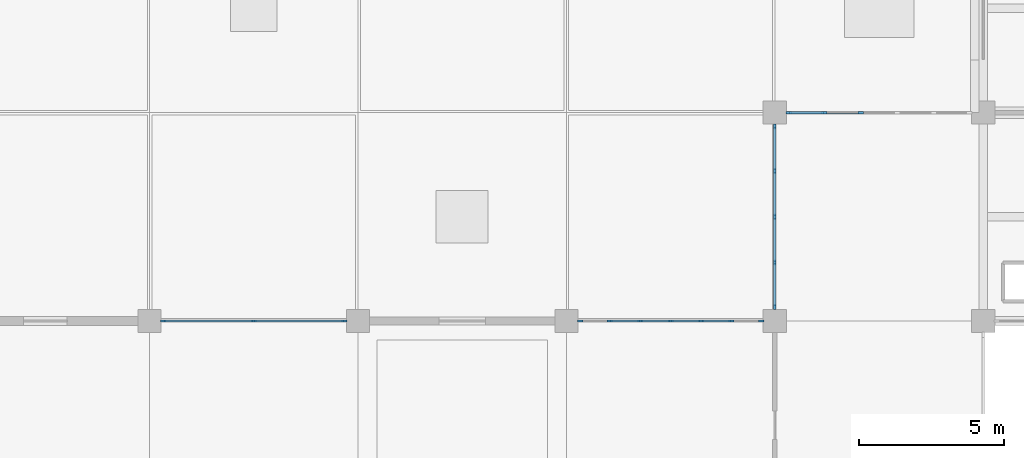
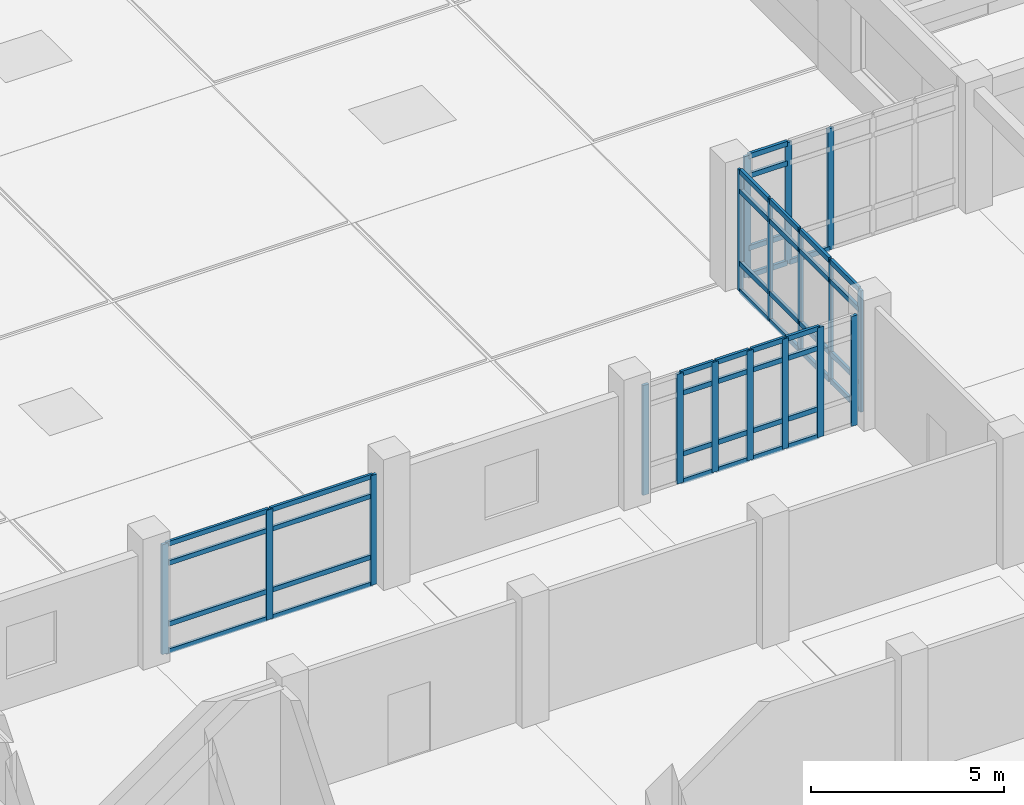
# One storey, part 11 of 62: 63 members, 4 elements without a shape of their own.
"""IFC4 building model written with IfcOpenShell, lengths in metres."""

from ifc_helpers import new_model, si_unit, direction, frame, origin, origin_2d, place, context, subcontext, project, spatial, rectangle, extrude, material, layer, layer_set, material_profile, profile_set, type_object, element, aggregate, save


model = new_model("IFC4")

# Units and contexts
model_context = context("Model", 3, precision=1e-05, world=origin(), true_north=direction((0.0, 1.0)))
body_context = subcontext(model_context, "Body", "Model", "MODEL_VIEW")
ifc_project = project(units=[si_unit("LENGTHUNIT", "METRE"), si_unit("AREAUNIT", "SQUARE_METRE"), si_unit("VOLUMEUNIT", "CUBIC_METRE"), si_unit("PLANEANGLEUNIT", "RADIAN"), si_unit("MASSUNIT", "GRAM", prefix="KILO")], contexts=[model_context])

# Site, building, storey
site_placement = place(None, origin())
site = spatial("IfcSite", under=ifc_project, at=site_placement, CompositionType="ELEMENT")
building_placement = place(site_placement, origin())
building = spatial("IfcBuilding", under=site, at=building_placement, Name="Kavelor Marine Aquarium", CompositionType="ELEMENT")
storey_placement = place(building_placement, frame((0.0, 0.0, 13.5)))
storey = spatial("IfcBuildingStorey", under=building, at=storey_placement, Name="L03", CompositionType="ELEMENT", Elevation=13.5)

# Curtain wall, members
ifc_material_1 = material(Name="Thermally Broken Aluminium and Low-E Glass", Category="aluminium")
ifc_layer_1 = layer(ifc_material_1, 0.26806640625)
ifc_layer_set_1 = layer_set([ifc_layer_1], Name="CW-SYS16")
curtain_wall_type_1 = type_object("IfcCurtainWallType", Name="CW-SYS16", PredefinedType="USERDEFINED", material=ifc_layer_set_1)
curtain_wall_1_placement = place(storey_placement, origin())
curtain_wall_1 = element("IfcCurtainWall", 1, at=curtain_wall_1_placement, inside=storey, type_object=curtain_wall_type_1, Name="cw:y:L03:04_11", ObjectType="Curtain Wall", PredefinedType="USERDEFINED")
ifc_material_2 = material(Name="Anodised Aluminium Alloy 6063-T6", Category="aluminium")
ifc_material_profile_1 = material_profile(ifc_material_2, rectangle(XDim=0.074951171875, YDim=0.179931640625, at=origin_2d()), Name="CW-MUL 75x180")
ifc_profile_set_1 = profile_set([ifc_material_profile_1], Name="Anodised Aluminium Alloy 6063-T6")
member_type_1 = type_object("IfcMemberType", Name="CWM-1", PredefinedType="MULLION", material=ifc_profile_set_1)
member_1_placement = place(storey_placement, frame((32.0, 88.717529296875, 0.0), z_axis=(0.0, 0.0, 1.0), x_axis=(1.0, 0.0, 0.0)))
member_1 = element("IfcMember", 2, at=member_1_placement, type_object=member_type_1, Name="CW16 mullion 1", PredefinedType="MULLION", context=body_context, shape_type="SweptSolid", body=[
    extrude(rectangle(XDim=0.074951171875, YDim=0.179931640625, at=origin_2d()), origin(), (0.0, 0.0, 1.0), 3.840087890625),
])
member_2_placement = place(storey_placement, frame((32.0, 87.177490234375, 0.0), z_axis=(0.0, 0.0, 1.0), x_axis=(1.0, 0.0, 0.0)))
member_2 = element("IfcMember", 3, at=member_2_placement, type_object=member_type_1, Name="CW16 mullion 2", PredefinedType="MULLION", context=body_context, shape_type="SweptSolid", body=[
    extrude(rectangle(XDim=0.074951171875, YDim=0.179931640625, at=origin_2d()), origin(), (0.0, 0.0, 1.0), 3.840087890625),
])
member_3_placement = place(storey_placement, frame((32.0, 85.60009765625, 0.0), z_axis=(0.0, 0.0, 1.0), x_axis=(1.0, 0.0, 0.0)))
member_3 = element("IfcMember", 4, at=member_3_placement, type_object=member_type_1, Name="CW16 mullion 3", PredefinedType="MULLION", context=body_context, shape_type="SweptSolid", body=[
    extrude(rectangle(XDim=0.074951171875, YDim=0.179931640625, at=origin_2d()), origin(), (0.0, 0.0, 1.0), 3.840087890625),
])
member_4_placement = place(storey_placement, frame((32.0, 84.0224609375, 0.0), z_axis=(0.0, 0.0, 1.0), x_axis=(1.0, 0.0, 0.0)))
member_4 = element("IfcMember", 5, at=member_4_placement, type_object=member_type_1, Name="CW16 mullion 4", PredefinedType="MULLION", context=body_context, shape_type="SweptSolid", body=[
    extrude(rectangle(XDim=0.074951171875, YDim=0.179931640625, at=origin_2d()), origin(), (0.0, 0.0, 1.0), 3.840087890625),
])
member_5_placement = place(storey_placement, frame((32.0, 82.482421875, 0.0), z_axis=(0.0, 0.0, 1.0), x_axis=(1.0, 0.0, 0.0)))
member_5 = element("IfcMember", 6, at=member_5_placement, type_object=member_type_1, Name="CW16 mullion 5", PredefinedType="MULLION", context=body_context, shape_type="SweptSolid", body=[
    extrude(rectangle(XDim=0.074951171875, YDim=0.179931640625, at=origin_2d()), origin(), (0.0, 0.0, 1.0), 3.840087890625),
])

ifc_material_3 = material(Name="Thermally Broken Aluminium and Low-E Glass", Category="aluminium")
ifc_layer_2 = layer(ifc_material_3, 0.179931640625)
ifc_layer_set_2 = layer_set([ifc_layer_2], Name="CW-SYS5")
curtain_wall_type_2 = type_object("IfcCurtainWallType", Name="CW-SYS5", PredefinedType="USERDEFINED", material=ifc_layer_set_2)
curtain_wall_2_placement = place(storey_placement, origin())
curtain_wall_2 = element("IfcCurtainWall", 7, at=curtain_wall_2_placement, inside=storey, type_object=curtain_wall_type_2, Name="cw:x:L03:04_12", ObjectType="Curtain Wall", PredefinedType="USERDEFINED")
ifc_material_4 = material(Name="Anodised Aluminium Alloy 6063-T6", Category="aluminium")
ifc_material_profile_2 = material_profile(ifc_material_4, rectangle(XDim=0.080078125, YDim=0.18505859375, at=origin_2d()), Name="CW-MUL 80x185")
ifc_profile_set_2 = profile_set([ifc_material_profile_2], Name="Anodised Aluminium Alloy 6063-T6")
member_type_2 = type_object("IfcMemberType", Name="CWM-2", PredefinedType="MULLION", material=ifc_profile_set_2)
member_6_placement = place(storey_placement, frame((32.4775390625, 89.199951171875, 0.0), z_axis=(0.0, 0.0, 1.0), x_axis=(0.0, 1.0, 0.0)))
member_6 = element("IfcMember", 8, at=member_6_placement, type_object=member_type_2, Name="CW05 mullion 1", PredefinedType="MULLION", context=body_context, shape_type="SweptSolid", body=[
    extrude(rectangle(XDim=0.080078125, YDim=0.18505859375, at=origin_2d()), origin(), (0.0, 0.0, 1.0), 3.840087890625),
])
member_7_placement = place(storey_placement, frame((33.70703125, 89.199951171875, 0.0), z_axis=(0.0, 0.0, 1.0), x_axis=(0.0, 1.0, 0.0)))
member_7 = element("IfcMember", 9, at=member_7_placement, type_object=member_type_2, Name="CW05 mullion 2", PredefinedType="MULLION", context=body_context, shape_type="SweptSolid", body=[
    extrude(rectangle(XDim=0.080078125, YDim=0.18505859375, at=origin_2d()), origin(), (0.0, 0.0, 1.0), 3.840087890625),
])
member_8_placement = place(storey_placement, frame((34.968994140625, 89.199951171875, 0.0), z_axis=(0.0, 0.0, 1.0), x_axis=(0.0, 1.0, 0.0)))
member_8 = element("IfcMember", 10, at=member_8_placement, type_object=member_type_2, Name="CW05 mullion 3", PredefinedType="MULLION", context=body_context, shape_type="SweptSolid", body=[
    extrude(rectangle(XDim=0.080078125, YDim=0.18505859375, at=origin_2d()), origin(), (0.0, 0.0, 1.0), 3.840087890625),
])

ifc_material_5 = material(Name="Thermally Broken Aluminium and Low-E Glass", Category="aluminium")
ifc_layer_3 = layer(ifc_material_5, 0.33203125)
ifc_layer_set_3 = layer_set([ifc_layer_3], Name="CW-SYS24")
curtain_wall_type_3 = type_object("IfcCurtainWallType", Name="CW-SYS24", PredefinedType="USERDEFINED", material=ifc_layer_set_3)
curtain_wall_3_placement = place(storey_placement, origin())
curtain_wall_3 = element("IfcCurtainWall", 11, at=curtain_wall_3_placement, inside=storey, type_object=curtain_wall_type_3, Name="cw:x:L03:01_11", ObjectType="Curtain Wall", PredefinedType="USERDEFINED")
ifc_material_6 = material(Name="Anodised Aluminium Alloy 6063-T6", Category="aluminium")
ifc_material_profile_3 = material_profile(ifc_material_6, rectangle(XDim=0.0849609375, YDim=0.18994140625, at=origin_2d()), Name="CW-MUL 85x190")
ifc_profile_set_3 = profile_set([ifc_material_profile_3], Name="Anodised Aluminium Alloy 6063-T6")
member_type_3 = type_object("IfcMemberType", Name="CWM-3", PredefinedType="MULLION", material=ifc_profile_set_3)
member_9_placement = place(storey_placement, frame((10.875, 82.0, 0.0), z_axis=(0.0, 0.0, 1.0), x_axis=(0.0, 1.0, 0.0)))
member_9 = element("IfcMember", 12, at=member_9_placement, type_object=member_type_3, Name="CW24 mullion 1", PredefinedType="MULLION", context=body_context, shape_type="SweptSolid", body=[
    extrude(rectangle(XDim=0.0849609375, YDim=0.18994140625, at=origin_2d()), origin(), (0.0, 0.0, 1.0), 3.47998046875),
])
member_10_placement = place(storey_placement, frame((14.0, 82.0, 0.0), z_axis=(0.0, 0.0, 1.0), x_axis=(0.0, 1.0, 0.0)))
member_10 = element("IfcMember", 13, at=member_10_placement, type_object=member_type_3, Name="CW24 mullion 2", PredefinedType="MULLION", context=body_context, shape_type="SweptSolid", body=[
    extrude(rectangle(XDim=0.0849609375, YDim=0.18994140625, at=origin_2d()), origin(), (0.0, 0.0, 1.0), 3.47998046875),
])
member_11_placement = place(storey_placement, frame((17.125, 82.0, 0.0), z_axis=(0.0, 0.0, 1.0), x_axis=(0.0, 1.0, 0.0)))
member_11 = element("IfcMember", 14, at=member_11_placement, type_object=member_type_3, Name="CW24 mullion 3", PredefinedType="MULLION", context=body_context, shape_type="SweptSolid", body=[
    extrude(rectangle(XDim=0.0849609375, YDim=0.18994140625, at=origin_2d()), origin(), (0.0, 0.0, 1.0), 3.47998046875),
])

ifc_material_7 = material(Name="Thermally Broken Aluminium and Low-E Glass", Category="aluminium")
ifc_layer_4 = layer(ifc_material_7, 0.1640625)
ifc_layer_set_4 = layer_set([ifc_layer_4], Name="CW-SYS3")
curtain_wall_type_4 = type_object("IfcCurtainWallType", Name="CW-SYS3", PredefinedType="USERDEFINED", material=ifc_layer_set_4)
curtain_wall_4_placement = place(storey_placement, origin())
curtain_wall_4 = element("IfcCurtainWall", 15, at=curtain_wall_4_placement, inside=storey, type_object=curtain_wall_type_4, Name="cw:x:L03:03_11", ObjectType="Curtain Wall", PredefinedType="USERDEFINED")
member_12_placement = place(storey_placement, frame((25.27490234375, 82.0, 0.0), z_axis=(0.0, 0.0, 1.0), x_axis=(0.0, 1.0, 0.0)))
member_12 = element("IfcMember", 16, at=member_12_placement, type_object=member_type_3, Name="CW03 mullion 1", PredefinedType="MULLION", context=body_context, shape_type="SweptSolid", body=[
    extrude(rectangle(XDim=0.0849609375, YDim=0.18994140625, at=origin_2d()), origin(), (0.0, 0.0, 1.0), 3.47998046875),
])
member_13_placement = place(storey_placement, frame((26.296630859375, 82.0, 0.0), z_axis=(0.0, 0.0, 1.0), x_axis=(0.0, 1.0, 0.0)))
member_13 = element("IfcMember", 17, at=member_13_placement, type_object=member_type_3, Name="CW03 mullion 2", PredefinedType="MULLION", context=body_context, shape_type="SweptSolid", body=[
    extrude(rectangle(XDim=0.0849609375, YDim=0.18994140625, at=origin_2d()), origin(), (0.0, 0.0, 1.0), 3.47998046875),
])
member_14_placement = place(storey_placement, frame((27.348388671875, 82.0, 0.0), z_axis=(0.0, 0.0, 1.0), x_axis=(0.0, 1.0, 0.0)))
member_14 = element("IfcMember", 18, at=member_14_placement, type_object=member_type_3, Name="CW03 mullion 3", PredefinedType="MULLION", context=body_context, shape_type="SweptSolid", body=[
    extrude(rectangle(XDim=0.0849609375, YDim=0.18994140625, at=origin_2d()), origin(), (0.0, 0.0, 1.0), 3.47998046875),
])
member_15_placement = place(storey_placement, frame((28.39990234375, 82.0, 0.0), z_axis=(0.0, 0.0, 1.0), x_axis=(0.0, 1.0, 0.0)))
member_15 = element("IfcMember", 19, at=member_15_placement, type_object=member_type_3, Name="CW03 mullion 4", PredefinedType="MULLION", context=body_context, shape_type="SweptSolid", body=[
    extrude(rectangle(XDim=0.0849609375, YDim=0.18994140625, at=origin_2d()), origin(), (0.0, 0.0, 1.0), 3.47998046875),
])
member_16_placement = place(storey_placement, frame((29.45166015625, 82.0, 0.0), z_axis=(0.0, 0.0, 1.0), x_axis=(0.0, 1.0, 0.0)))
member_16 = element("IfcMember", 20, at=member_16_placement, type_object=member_type_3, Name="CW03 mullion 5", PredefinedType="MULLION", context=body_context, shape_type="SweptSolid", body=[
    extrude(rectangle(XDim=0.0849609375, YDim=0.18994140625, at=origin_2d()), origin(), (0.0, 0.0, 1.0), 3.47998046875),
])
member_17_placement = place(storey_placement, frame((30.50341796875, 82.0, 0.0), z_axis=(0.0, 0.0, 1.0), x_axis=(0.0, 1.0, 0.0)))
member_17 = element("IfcMember", 21, at=member_17_placement, type_object=member_type_3, Name="CW03 mullion 6", PredefinedType="MULLION", context=body_context, shape_type="SweptSolid", body=[
    extrude(rectangle(XDim=0.0849609375, YDim=0.18994140625, at=origin_2d()), origin(), (0.0, 0.0, 1.0), 3.47998046875),
])
member_18_placement = place(storey_placement, frame((31.52490234375, 82.0, 0.0), z_axis=(0.0, 0.0, 1.0), x_axis=(0.0, 1.0, 0.0)))
member_18 = element("IfcMember", 22, at=member_18_placement, type_object=member_type_3, Name="CW03 mullion 7", PredefinedType="MULLION", context=body_context, shape_type="SweptSolid", body=[
    extrude(rectangle(XDim=0.0849609375, YDim=0.18994140625, at=origin_2d()), origin(), (0.0, 0.0, 1.0), 3.47998046875),
])

# Member
ifc_material_8 = material(Name="Anodised Aluminium Alloy 6063-T6", Category="aluminium")
ifc_material_profile_4 = material_profile(ifc_material_8, rectangle(XDim=0.074951171875, YDim=0.14990234375, at=origin_2d()), Name="CW-TRN 75x150")
ifc_profile_set_4 = profile_set([ifc_material_profile_4], Name="Anodised Aluminium Alloy 6063-T6")
member_type_4 = type_object("IfcMemberType", Name="CWT-1", PredefinedType="USERDEFINED", material=ifc_profile_set_4)
member_19_placement = place(storey_placement, frame((10.905029296875, 82.0, 0.03759765625), z_axis=(1.0, 0.0, 0.0), x_axis=(0.0, 1.0, 0.0)))
member_19 = element("IfcMember", 23, at=member_19_placement, type_object=member_type_4, Name="CW24 transom 1.1", ObjectType="TRANSOM", PredefinedType="USERDEFINED", context=body_context, shape_type="SweptSolid", body=[
    extrude(rectangle(XDim=0.074951171875, YDim=0.14990234375, at=origin_2d()), origin(), (0.0, 0.0, 1.0), 3.06494140625),
])

member_20_placement = place(storey_placement, frame((10.905029296875, 82.0, 0.89990234375), z_axis=(1.0, 0.0, 0.0), x_axis=(0.0, 1.0, 0.0)))
member_20 = element("IfcMember", 24, at=member_20_placement, type_object=member_type_4, Name="CW24 transom 1.2", ObjectType="TRANSOM", PredefinedType="USERDEFINED", context=body_context, shape_type="SweptSolid", body=[
    extrude(rectangle(XDim=0.074951171875, YDim=0.14990234375, at=origin_2d()), origin(), (0.0, 0.0, 1.0), 3.06494140625),
])

member_21_placement = place(storey_placement, frame((10.905029296875, 82.0, 2.830078125), z_axis=(1.0, 0.0, 0.0), x_axis=(0.0, 1.0, 0.0)))
member_21 = element("IfcMember", 25, at=member_21_placement, type_object=member_type_4, Name="CW24 transom 1.3", ObjectType="TRANSOM", PredefinedType="USERDEFINED", context=body_context, shape_type="SweptSolid", body=[
    extrude(rectangle(XDim=0.074951171875, YDim=0.14990234375, at=origin_2d()), origin(), (0.0, 0.0, 1.0), 3.06494140625),
])

member_22_placement = place(storey_placement, frame((10.905029296875, 82.0, 3.4423828125), z_axis=(1.0, 0.0, 0.0), x_axis=(0.0, 1.0, 0.0)))
member_22 = element("IfcMember", 26, at=member_22_placement, type_object=member_type_4, Name="CW24 transom 1.4", ObjectType="TRANSOM", PredefinedType="USERDEFINED", context=body_context, shape_type="SweptSolid", body=[
    extrude(rectangle(XDim=0.074951171875, YDim=0.14990234375, at=origin_2d()), origin(), (0.0, 0.0, 1.0), 3.06494140625),
])

member_23_placement = place(storey_placement, frame((14.030029296875, 82.0, 0.03759765625), z_axis=(1.0, 0.0, 0.0), x_axis=(0.0, 1.0, 0.0)))
member_23 = element("IfcMember", 27, at=member_23_placement, type_object=member_type_4, Name="CW24 transom 2.1", ObjectType="TRANSOM", PredefinedType="USERDEFINED", context=body_context, shape_type="SweptSolid", body=[
    extrude(rectangle(XDim=0.074951171875, YDim=0.14990234375, at=origin_2d()), origin(), (0.0, 0.0, 1.0), 3.06494140625),
])

member_24_placement = place(storey_placement, frame((14.030029296875, 82.0, 0.89990234375), z_axis=(1.0, 0.0, 0.0), x_axis=(0.0, 1.0, 0.0)))
member_24 = element("IfcMember", 28, at=member_24_placement, type_object=member_type_4, Name="CW24 transom 2.2", ObjectType="TRANSOM", PredefinedType="USERDEFINED", context=body_context, shape_type="SweptSolid", body=[
    extrude(rectangle(XDim=0.074951171875, YDim=0.14990234375, at=origin_2d()), origin(), (0.0, 0.0, 1.0), 3.06494140625),
])

member_25_placement = place(storey_placement, frame((14.030029296875, 82.0, 2.830078125), z_axis=(1.0, 0.0, 0.0), x_axis=(0.0, 1.0, 0.0)))
member_25 = element("IfcMember", 29, at=member_25_placement, type_object=member_type_4, Name="CW24 transom 2.3", ObjectType="TRANSOM", PredefinedType="USERDEFINED", context=body_context, shape_type="SweptSolid", body=[
    extrude(rectangle(XDim=0.074951171875, YDim=0.14990234375, at=origin_2d()), origin(), (0.0, 0.0, 1.0), 3.06494140625),
])

member_26_placement = place(storey_placement, frame((14.030029296875, 82.0, 3.4423828125), z_axis=(1.0, 0.0, 0.0), x_axis=(0.0, 1.0, 0.0)))
member_26 = element("IfcMember", 30, at=member_26_placement, type_object=member_type_4, Name="CW24 transom 2.4", ObjectType="TRANSOM", PredefinedType="USERDEFINED", context=body_context, shape_type="SweptSolid", body=[
    extrude(rectangle(XDim=0.074951171875, YDim=0.14990234375, at=origin_2d()), origin(), (0.0, 0.0, 1.0), 3.06494140625),
])

aggregate(curtain_wall_3, [member_9, member_10, member_11, member_19, member_20, member_21, member_22, member_23, member_24, member_25, member_26])

ifc_material_9 = material(Name="Anodised Aluminium Alloy 6063-T6", Category="aluminium")
ifc_material_profile_5 = material_profile(ifc_material_9, rectangle(XDim=0.080078125, YDim=0.155029296875, at=origin_2d()), Name="CW-TRN 80x155")
ifc_profile_set_5 = profile_set([ifc_material_profile_5], Name="Anodised Aluminium Alloy 6063-T6")
member_type_5 = type_object("IfcMemberType", Name="CWT-2", PredefinedType="USERDEFINED", material=ifc_profile_set_5)
member_27_placement = place(storey_placement, frame((26.32666015625, 82.0, 0.032470703125), z_axis=(1.0, 0.0, 0.0), x_axis=(0.0, 1.0, 0.0)))
member_27 = element("IfcMember", 31, at=member_27_placement, type_object=member_type_5, Name="CW03 transom 2.1", ObjectType="TRANSOM", PredefinedType="USERDEFINED", context=body_context, shape_type="SweptSolid", body=[
    extrude(rectangle(XDim=0.080078125, YDim=0.155029296875, at=origin_2d()), origin(), (0.0, 0.0, 1.0), 0.99169921875),
])

member_28_placement = place(storey_placement, frame((26.32666015625, 82.0, 0.89990234375), z_axis=(1.0, 0.0, 0.0), x_axis=(0.0, 1.0, 0.0)))
member_28 = element("IfcMember", 32, at=member_28_placement, type_object=member_type_5, Name="CW03 transom 2.2", ObjectType="TRANSOM", PredefinedType="USERDEFINED", context=body_context, shape_type="SweptSolid", body=[
    extrude(rectangle(XDim=0.080078125, YDim=0.155029296875, at=origin_2d()), origin(), (0.0, 0.0, 1.0), 0.99169921875),
])

member_29_placement = place(storey_placement, frame((26.32666015625, 82.0, 2.830078125), z_axis=(1.0, 0.0, 0.0), x_axis=(0.0, 1.0, 0.0)))
member_29 = element("IfcMember", 33, at=member_29_placement, type_object=member_type_5, Name="CW03 transom 2.3", ObjectType="TRANSOM", PredefinedType="USERDEFINED", context=body_context, shape_type="SweptSolid", body=[
    extrude(rectangle(XDim=0.080078125, YDim=0.155029296875, at=origin_2d()), origin(), (0.0, 0.0, 1.0), 0.99169921875),
])

member_30_placement = place(storey_placement, frame((26.32666015625, 82.0, 3.447509765625), z_axis=(1.0, 0.0, 0.0), x_axis=(0.0, 1.0, 0.0)))
member_30 = element("IfcMember", 34, at=member_30_placement, type_object=member_type_5, Name="CW03 transom 2.4", ObjectType="TRANSOM", PredefinedType="USERDEFINED", context=body_context, shape_type="SweptSolid", body=[
    extrude(rectangle(XDim=0.080078125, YDim=0.155029296875, at=origin_2d()), origin(), (0.0, 0.0, 1.0), 0.99169921875),
])

member_31_placement = place(storey_placement, frame((27.37841796875, 82.0, 0.032470703125), z_axis=(1.0, 0.0, 0.0), x_axis=(0.0, 1.0, 0.0)))
member_31 = element("IfcMember", 35, at=member_31_placement, type_object=member_type_5, Name="CW03 transom 3.1", ObjectType="TRANSOM", PredefinedType="USERDEFINED", context=body_context, shape_type="SweptSolid", body=[
    extrude(rectangle(XDim=0.080078125, YDim=0.155029296875, at=origin_2d()), origin(), (0.0, 0.0, 1.0), 0.99169921875),
])

member_32_placement = place(storey_placement, frame((27.37841796875, 82.0, 0.89990234375), z_axis=(1.0, 0.0, 0.0), x_axis=(0.0, 1.0, 0.0)))
member_32 = element("IfcMember", 36, at=member_32_placement, type_object=member_type_5, Name="CW03 transom 3.2", ObjectType="TRANSOM", PredefinedType="USERDEFINED", context=body_context, shape_type="SweptSolid", body=[
    extrude(rectangle(XDim=0.080078125, YDim=0.155029296875, at=origin_2d()), origin(), (0.0, 0.0, 1.0), 0.99169921875),
])

member_33_placement = place(storey_placement, frame((27.37841796875, 82.0, 2.830078125), z_axis=(1.0, 0.0, 0.0), x_axis=(0.0, 1.0, 0.0)))
member_33 = element("IfcMember", 37, at=member_33_placement, type_object=member_type_5, Name="CW03 transom 3.3", ObjectType="TRANSOM", PredefinedType="USERDEFINED", context=body_context, shape_type="SweptSolid", body=[
    extrude(rectangle(XDim=0.080078125, YDim=0.155029296875, at=origin_2d()), origin(), (0.0, 0.0, 1.0), 0.99169921875),
])

member_34_placement = place(storey_placement, frame((27.37841796875, 82.0, 3.447509765625), z_axis=(1.0, 0.0, 0.0), x_axis=(0.0, 1.0, 0.0)))
member_34 = element("IfcMember", 38, at=member_34_placement, type_object=member_type_5, Name="CW03 transom 3.4", ObjectType="TRANSOM", PredefinedType="USERDEFINED", context=body_context, shape_type="SweptSolid", body=[
    extrude(rectangle(XDim=0.080078125, YDim=0.155029296875, at=origin_2d()), origin(), (0.0, 0.0, 1.0), 0.99169921875),
])

member_35_placement = place(storey_placement, frame((28.429931640625, 82.0, 0.032470703125), z_axis=(1.0, 0.0, 0.0), x_axis=(0.0, 1.0, 0.0)))
member_35 = element("IfcMember", 39, at=member_35_placement, type_object=member_type_5, Name="CW03 transom 4.1", ObjectType="TRANSOM", PredefinedType="USERDEFINED", context=body_context, shape_type="SweptSolid", body=[
    extrude(rectangle(XDim=0.080078125, YDim=0.155029296875, at=origin_2d()), origin(), (0.0, 0.0, 1.0), 0.99169921875),
])

member_36_placement = place(storey_placement, frame((28.429931640625, 82.0, 0.89990234375), z_axis=(1.0, 0.0, 0.0), x_axis=(0.0, 1.0, 0.0)))
member_36 = element("IfcMember", 40, at=member_36_placement, type_object=member_type_5, Name="CW03 transom 4.2", ObjectType="TRANSOM", PredefinedType="USERDEFINED", context=body_context, shape_type="SweptSolid", body=[
    extrude(rectangle(XDim=0.080078125, YDim=0.155029296875, at=origin_2d()), origin(), (0.0, 0.0, 1.0), 0.99169921875),
])

member_37_placement = place(storey_placement, frame((28.429931640625, 82.0, 2.830078125), z_axis=(1.0, 0.0, 0.0), x_axis=(0.0, 1.0, 0.0)))
member_37 = element("IfcMember", 41, at=member_37_placement, type_object=member_type_5, Name="CW03 transom 4.3", ObjectType="TRANSOM", PredefinedType="USERDEFINED", context=body_context, shape_type="SweptSolid", body=[
    extrude(rectangle(XDim=0.080078125, YDim=0.155029296875, at=origin_2d()), origin(), (0.0, 0.0, 1.0), 0.99169921875),
])

member_38_placement = place(storey_placement, frame((28.429931640625, 82.0, 3.447509765625), z_axis=(1.0, 0.0, 0.0), x_axis=(0.0, 1.0, 0.0)))
member_38 = element("IfcMember", 42, at=member_38_placement, type_object=member_type_5, Name="CW03 transom 4.4", ObjectType="TRANSOM", PredefinedType="USERDEFINED", context=body_context, shape_type="SweptSolid", body=[
    extrude(rectangle(XDim=0.080078125, YDim=0.155029296875, at=origin_2d()), origin(), (0.0, 0.0, 1.0), 0.99169921875),
])

member_39_placement = place(storey_placement, frame((29.481689453125, 82.0, 0.032470703125), z_axis=(1.0, 0.0, 0.0), x_axis=(0.0, 1.0, 0.0)))
member_39 = element("IfcMember", 43, at=member_39_placement, type_object=member_type_5, Name="CW03 transom 5.1", ObjectType="TRANSOM", PredefinedType="USERDEFINED", context=body_context, shape_type="SweptSolid", body=[
    extrude(rectangle(XDim=0.080078125, YDim=0.155029296875, at=origin_2d()), origin(), (0.0, 0.0, 1.0), 0.99169921875),
])

member_40_placement = place(storey_placement, frame((29.481689453125, 82.0, 0.89990234375), z_axis=(1.0, 0.0, 0.0), x_axis=(0.0, 1.0, 0.0)))
member_40 = element("IfcMember", 44, at=member_40_placement, type_object=member_type_5, Name="CW03 transom 5.2", ObjectType="TRANSOM", PredefinedType="USERDEFINED", context=body_context, shape_type="SweptSolid", body=[
    extrude(rectangle(XDim=0.080078125, YDim=0.155029296875, at=origin_2d()), origin(), (0.0, 0.0, 1.0), 0.99169921875),
])

member_41_placement = place(storey_placement, frame((29.481689453125, 82.0, 2.830078125), z_axis=(1.0, 0.0, 0.0), x_axis=(0.0, 1.0, 0.0)))
member_41 = element("IfcMember", 45, at=member_41_placement, type_object=member_type_5, Name="CW03 transom 5.3", ObjectType="TRANSOM", PredefinedType="USERDEFINED", context=body_context, shape_type="SweptSolid", body=[
    extrude(rectangle(XDim=0.080078125, YDim=0.155029296875, at=origin_2d()), origin(), (0.0, 0.0, 1.0), 0.99169921875),
])

member_42_placement = place(storey_placement, frame((29.481689453125, 82.0, 3.447509765625), z_axis=(1.0, 0.0, 0.0), x_axis=(0.0, 1.0, 0.0)))
member_42 = element("IfcMember", 46, at=member_42_placement, type_object=member_type_5, Name="CW03 transom 5.4", ObjectType="TRANSOM", PredefinedType="USERDEFINED", context=body_context, shape_type="SweptSolid", body=[
    extrude(rectangle(XDim=0.080078125, YDim=0.155029296875, at=origin_2d()), origin(), (0.0, 0.0, 1.0), 0.99169921875),
])

aggregate(curtain_wall_4, [member_12, member_13, member_14, member_15, member_16, member_17, member_18, member_27, member_28, member_29, member_30, member_31, member_32, member_33, member_34, member_35, member_36, member_37, member_38, member_39, member_40, member_41, member_42])

ifc_material_10 = material(Name="Anodised Aluminium Alloy 6063-T6", Category="aluminium")
ifc_material_profile_6 = material_profile(ifc_material_10, rectangle(XDim=0.0849609375, YDim=0.159912109375, at=origin_2d()), Name="CW-TRN 85x160")
ifc_profile_set_6 = profile_set([ifc_material_profile_6], Name="Anodised Aluminium Alloy 6063-T6")
member_type_6 = type_object("IfcMemberType", Name="CWT-3", PredefinedType="USERDEFINED", material=ifc_profile_set_6)
member_43_placement = place(storey_placement, frame((32.510009765625, 89.199951171875, 0.030029296875), z_axis=(1.0, 0.0, 0.0), x_axis=(0.0, 1.0, 0.0)))
member_43 = element("IfcMember", 47, at=member_43_placement, type_object=member_type_6, Name="CW05 transom 1.1", ObjectType="TRANSOM", PredefinedType="USERDEFINED", context=body_context, shape_type="SweptSolid", body=[
    extrude(rectangle(XDim=0.0849609375, YDim=0.159912109375, at=origin_2d()), origin(), (0.0, 0.0, 1.0), 1.16455078125),
])

member_44_placement = place(storey_placement, frame((32.510009765625, 89.199951171875, 0.89990234375), z_axis=(1.0, 0.0, 0.0), x_axis=(0.0, 1.0, 0.0)))
member_44 = element("IfcMember", 48, at=member_44_placement, type_object=member_type_6, Name="CW05 transom 1.2", ObjectType="TRANSOM", PredefinedType="USERDEFINED", context=body_context, shape_type="SweptSolid", body=[
    extrude(rectangle(XDim=0.0849609375, YDim=0.159912109375, at=origin_2d()), origin(), (0.0, 0.0, 1.0), 1.16455078125),
])

member_45_placement = place(storey_placement, frame((32.510009765625, 89.199951171875, 3.18994140625), z_axis=(1.0, 0.0, 0.0), x_axis=(0.0, 1.0, 0.0)))
member_45 = element("IfcMember", 49, at=member_45_placement, type_object=member_type_6, Name="CW05 transom 1.3", ObjectType="TRANSOM", PredefinedType="USERDEFINED", context=body_context, shape_type="SweptSolid", body=[
    extrude(rectangle(XDim=0.0849609375, YDim=0.159912109375, at=origin_2d()), origin(), (0.0, 0.0, 1.0), 1.16455078125),
])

member_46_placement = place(storey_placement, frame((32.510009765625, 89.199951171875, 3.81005859375), z_axis=(1.0, 0.0, 0.0), x_axis=(0.0, 1.0, 0.0)))
member_46 = element("IfcMember", 50, at=member_46_placement, type_object=member_type_6, Name="CW05 transom 1.4", ObjectType="TRANSOM", PredefinedType="USERDEFINED", context=body_context, shape_type="SweptSolid", body=[
    extrude(rectangle(XDim=0.0849609375, YDim=0.159912109375, at=origin_2d()), origin(), (0.0, 0.0, 1.0), 1.16455078125),
])

member_47_placement = place(storey_placement, frame((33.739501953125, 89.199951171875, 0.030029296875), z_axis=(1.0, 0.0, 0.0), x_axis=(0.0, 1.0, 0.0)))
member_47 = element("IfcMember", 51, at=member_47_placement, type_object=member_type_6, Name="CW05 transom 2.1", ObjectType="TRANSOM", PredefinedType="USERDEFINED", context=body_context, shape_type="SweptSolid", body=[
    extrude(rectangle(XDim=0.0849609375, YDim=0.159912109375, at=origin_2d()), origin(), (0.0, 0.0, 1.0), 1.197021484375),
])

aggregate(curtain_wall_2, [member_6, member_7, member_8, member_43, member_44, member_45, member_46, member_47])

member_48_placement = place(storey_placement, frame((32.0, 88.679931640625, 0.030029296875), z_axis=(0.0, -1.0, 0.0), x_axis=(1.0, 0.0, 0.0)))
member_48 = element("IfcMember", 52, at=member_48_placement, type_object=member_type_6, Name="CW16 transom 1.1", ObjectType="TRANSOM", PredefinedType="USERDEFINED", context=body_context, shape_type="SweptSolid", body=[
    extrude(rectangle(XDim=0.0849609375, YDim=0.159912109375, at=origin_2d()), origin(), (0.0, 0.0, 1.0), 1.46484375),
])

member_49_placement = place(storey_placement, frame((32.0, 88.679931640625, 0.89990234375), z_axis=(0.0, -1.0, 0.0), x_axis=(1.0, 0.0, 0.0)))
member_49 = element("IfcMember", 53, at=member_49_placement, type_object=member_type_6, Name="CW16 transom 1.2", ObjectType="TRANSOM", PredefinedType="USERDEFINED", context=body_context, shape_type="SweptSolid", body=[
    extrude(rectangle(XDim=0.0849609375, YDim=0.159912109375, at=origin_2d()), origin(), (0.0, 0.0, 1.0), 1.46484375),
])

member_50_placement = place(storey_placement, frame((32.0, 88.679931640625, 3.18994140625), z_axis=(0.0, -1.0, 0.0), x_axis=(1.0, 0.0, 0.0)))
member_50 = element("IfcMember", 54, at=member_50_placement, type_object=member_type_6, Name="CW16 transom 1.3", ObjectType="TRANSOM", PredefinedType="USERDEFINED", context=body_context, shape_type="SweptSolid", body=[
    extrude(rectangle(XDim=0.0849609375, YDim=0.159912109375, at=origin_2d()), origin(), (0.0, 0.0, 1.0), 1.46484375),
])

member_51_placement = place(storey_placement, frame((32.0, 88.679931640625, 3.81005859375), z_axis=(0.0, -1.0, 0.0), x_axis=(1.0, 0.0, 0.0)))
member_51 = element("IfcMember", 55, at=member_51_placement, type_object=member_type_6, Name="CW16 transom 1.4", ObjectType="TRANSOM", PredefinedType="USERDEFINED", context=body_context, shape_type="SweptSolid", body=[
    extrude(rectangle(XDim=0.0849609375, YDim=0.159912109375, at=origin_2d()), origin(), (0.0, 0.0, 1.0), 1.46484375),
])

member_52_placement = place(storey_placement, frame((32.0, 87.139892578125, 0.030029296875), z_axis=(0.0, -1.0, 0.0), x_axis=(1.0, 0.0, 0.0)))
member_52 = element("IfcMember", 56, at=member_52_placement, type_object=member_type_6, Name="CW16 transom 2.1", ObjectType="TRANSOM", PredefinedType="USERDEFINED", context=body_context, shape_type="SweptSolid", body=[
    extrude(rectangle(XDim=0.0849609375, YDim=0.159912109375, at=origin_2d()), origin(), (0.0, 0.0, 1.0), 1.50244140625),
])

member_53_placement = place(storey_placement, frame((32.0, 87.139892578125, 0.89990234375), z_axis=(0.0, -1.0, 0.0), x_axis=(1.0, 0.0, 0.0)))
member_53 = element("IfcMember", 57, at=member_53_placement, type_object=member_type_6, Name="CW16 transom 2.2", ObjectType="TRANSOM", PredefinedType="USERDEFINED", context=body_context, shape_type="SweptSolid", body=[
    extrude(rectangle(XDim=0.0849609375, YDim=0.159912109375, at=origin_2d()), origin(), (0.0, 0.0, 1.0), 1.50244140625),
])

member_54_placement = place(storey_placement, frame((32.0, 87.139892578125, 3.18994140625), z_axis=(0.0, -1.0, 0.0), x_axis=(1.0, 0.0, 0.0)))
member_54 = element("IfcMember", 58, at=member_54_placement, type_object=member_type_6, Name="CW16 transom 2.3", ObjectType="TRANSOM", PredefinedType="USERDEFINED", context=body_context, shape_type="SweptSolid", body=[
    extrude(rectangle(XDim=0.0849609375, YDim=0.159912109375, at=origin_2d()), origin(), (0.0, 0.0, 1.0), 1.50244140625),
])

member_55_placement = place(storey_placement, frame((32.0, 87.139892578125, 3.81005859375), z_axis=(0.0, -1.0, 0.0), x_axis=(1.0, 0.0, 0.0)))
member_55 = element("IfcMember", 59, at=member_55_placement, type_object=member_type_6, Name="CW16 transom 2.4", ObjectType="TRANSOM", PredefinedType="USERDEFINED", context=body_context, shape_type="SweptSolid", body=[
    extrude(rectangle(XDim=0.0849609375, YDim=0.159912109375, at=origin_2d()), origin(), (0.0, 0.0, 1.0), 1.50244140625),
])

member_56_placement = place(storey_placement, frame((32.0, 85.5625, 0.030029296875), z_axis=(0.0, -1.0, 0.0), x_axis=(1.0, 0.0, 0.0)))
member_56 = element("IfcMember", 60, at=member_56_placement, type_object=member_type_6, Name="CW16 transom 3.1", ObjectType="TRANSOM", PredefinedType="USERDEFINED", context=body_context, shape_type="SweptSolid", body=[
    extrude(rectangle(XDim=0.0849609375, YDim=0.159912109375, at=origin_2d()), origin(), (0.0, 0.0, 1.0), 1.50244140625),
])

member_57_placement = place(storey_placement, frame((32.0, 85.5625, 0.89990234375), z_axis=(0.0, -1.0, 0.0), x_axis=(1.0, 0.0, 0.0)))
member_57 = element("IfcMember", 61, at=member_57_placement, type_object=member_type_6, Name="CW16 transom 3.2", ObjectType="TRANSOM", PredefinedType="USERDEFINED", context=body_context, shape_type="SweptSolid", body=[
    extrude(rectangle(XDim=0.0849609375, YDim=0.159912109375, at=origin_2d()), origin(), (0.0, 0.0, 1.0), 1.50244140625),
])

member_58_placement = place(storey_placement, frame((32.0, 85.5625, 3.18994140625), z_axis=(0.0, -1.0, 0.0), x_axis=(1.0, 0.0, 0.0)))
member_58 = element("IfcMember", 62, at=member_58_placement, type_object=member_type_6, Name="CW16 transom 3.3", ObjectType="TRANSOM", PredefinedType="USERDEFINED", context=body_context, shape_type="SweptSolid", body=[
    extrude(rectangle(XDim=0.0849609375, YDim=0.159912109375, at=origin_2d()), origin(), (0.0, 0.0, 1.0), 1.50244140625),
])

member_59_placement = place(storey_placement, frame((32.0, 85.5625, 3.81005859375), z_axis=(0.0, -1.0, 0.0), x_axis=(1.0, 0.0, 0.0)))
member_59 = element("IfcMember", 63, at=member_59_placement, type_object=member_type_6, Name="CW16 transom 3.4", ObjectType="TRANSOM", PredefinedType="USERDEFINED", context=body_context, shape_type="SweptSolid", body=[
    extrude(rectangle(XDim=0.0849609375, YDim=0.159912109375, at=origin_2d()), origin(), (0.0, 0.0, 1.0), 1.50244140625),
])

member_60_placement = place(storey_placement, frame((32.0, 83.985107421875, 0.030029296875), z_axis=(0.0, -1.0, 0.0), x_axis=(1.0, 0.0, 0.0)))
member_60 = element("IfcMember", 64, at=member_60_placement, type_object=member_type_6, Name="CW16 transom 4.1", ObjectType="TRANSOM", PredefinedType="USERDEFINED", context=body_context, shape_type="SweptSolid", body=[
    extrude(rectangle(XDim=0.0849609375, YDim=0.159912109375, at=origin_2d()), origin(), (0.0, 0.0, 1.0), 1.465087890625),
])

member_61_placement = place(storey_placement, frame((32.0, 83.985107421875, 0.89990234375), z_axis=(0.0, -1.0, 0.0), x_axis=(1.0, 0.0, 0.0)))
member_61 = element("IfcMember", 65, at=member_61_placement, type_object=member_type_6, Name="CW16 transom 4.2", ObjectType="TRANSOM", PredefinedType="USERDEFINED", context=body_context, shape_type="SweptSolid", body=[
    extrude(rectangle(XDim=0.0849609375, YDim=0.159912109375, at=origin_2d()), origin(), (0.0, 0.0, 1.0), 1.465087890625),
])

member_62_placement = place(storey_placement, frame((32.0, 83.985107421875, 3.18994140625), z_axis=(0.0, -1.0, 0.0), x_axis=(1.0, 0.0, 0.0)))
member_62 = element("IfcMember", 66, at=member_62_placement, type_object=member_type_6, Name="CW16 transom 4.3", ObjectType="TRANSOM", PredefinedType="USERDEFINED", context=body_context, shape_type="SweptSolid", body=[
    extrude(rectangle(XDim=0.0849609375, YDim=0.159912109375, at=origin_2d()), origin(), (0.0, 0.0, 1.0), 1.465087890625),
])

member_63_placement = place(storey_placement, frame((32.0, 83.985107421875, 3.81005859375), z_axis=(0.0, -1.0, 0.0), x_axis=(1.0, 0.0, 0.0)))
member_63 = element("IfcMember", 67, at=member_63_placement, type_object=member_type_6, Name="CW16 transom 4.4", ObjectType="TRANSOM", PredefinedType="USERDEFINED", context=body_context, shape_type="SweptSolid", body=[
    extrude(rectangle(XDim=0.0849609375, YDim=0.159912109375, at=origin_2d()), origin(), (0.0, 0.0, 1.0), 1.465087890625),
])

aggregate(curtain_wall_1, [member_1, member_2, member_3, member_4, member_5, member_48, member_49, member_50, member_51, member_52, member_53, member_54, member_55, member_56, member_57, member_58, member_59, member_60, member_61, member_62, member_63])

save(model, "model.ifc")
